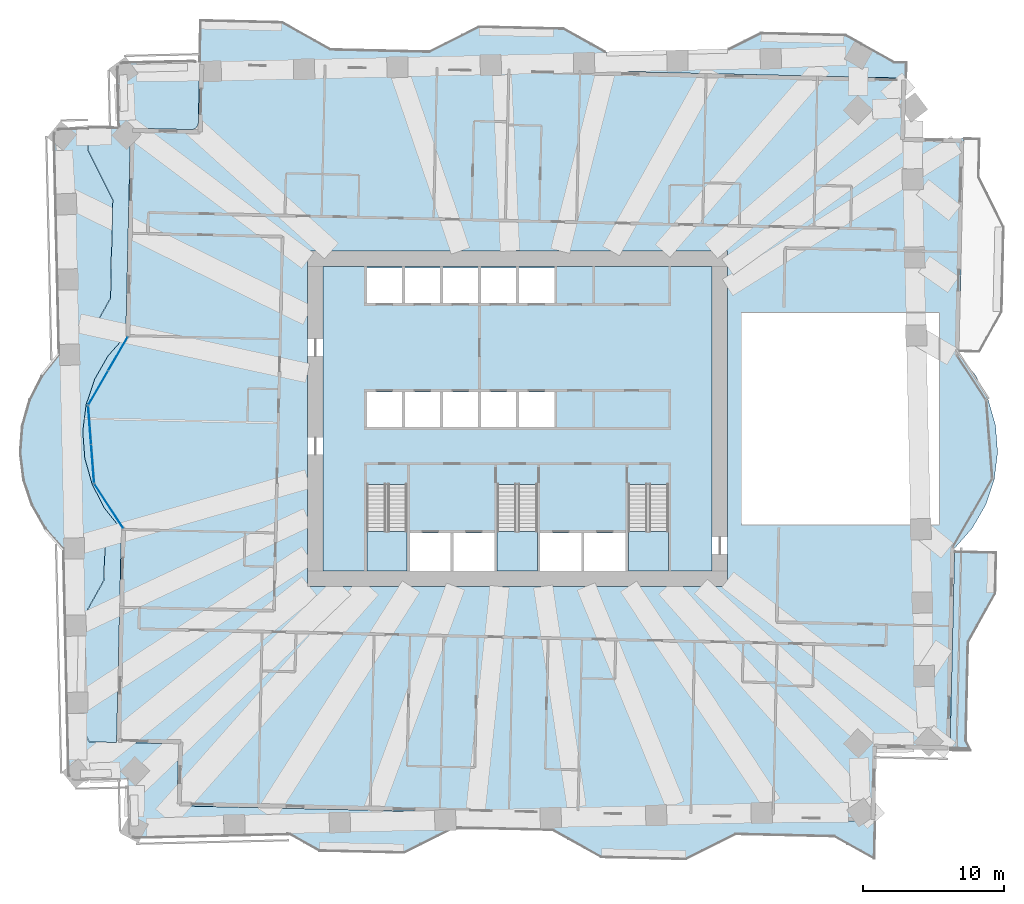
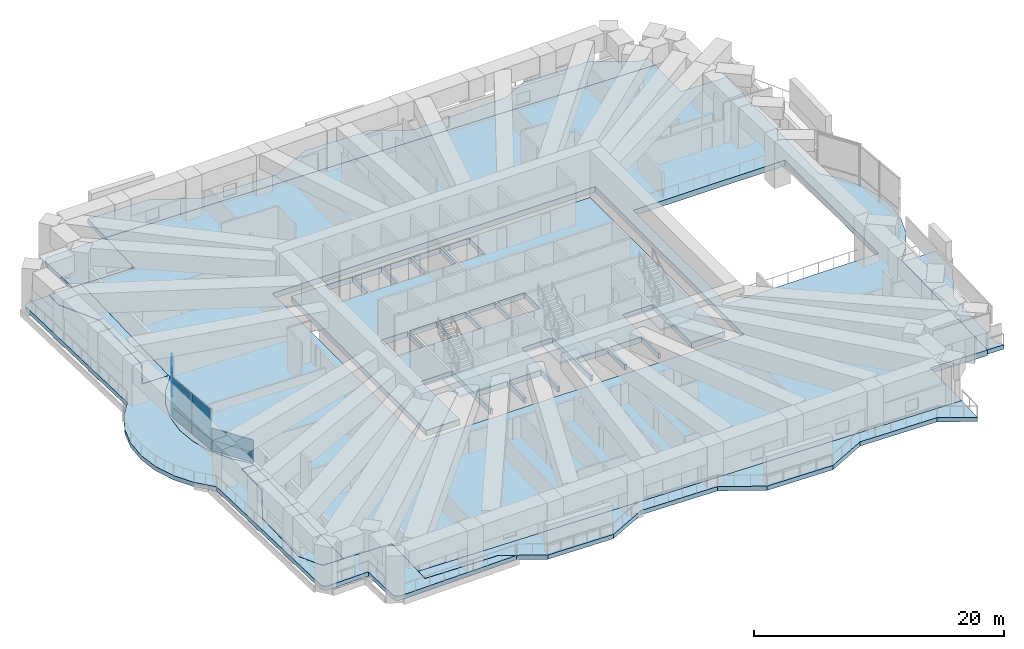
# One storey, part 7 of 20: 12 slabs, 10 plates, 6 elements without a shape of their own.
"""IFC4 building model written with IfcOpenShell, lengths in metres."""

from ifc_helpers import new_model, si_unit, direction, frame, origin, origin_2d, place, context, subcontext, project, spatial, polyline, rectangle, outline, extrude, material, layer, layer_set, type_object, element, aggregate, save


model = new_model("IFC4")

# Units and contexts
model_context = context("Model", 3, precision=1e-05, world=origin(), true_north=direction((0.0, 1.0)))
body_context = subcontext(model_context, "Body", "Model", "MODEL_VIEW")
ifc_project = project(units=[si_unit("LENGTHUNIT", "METRE"), si_unit("AREAUNIT", "SQUARE_METRE"), si_unit("VOLUMEUNIT", "CUBIC_METRE"), si_unit("PLANEANGLEUNIT", "RADIAN"), si_unit("MASSUNIT", "GRAM", prefix="KILO")], contexts=[model_context])

# Site, building, storey
site_placement = place(None, origin())
site = spatial("IfcSite", under=ifc_project, at=site_placement, CompositionType="ELEMENT")
building_placement = place(site_placement, origin())
building = spatial("IfcBuilding", under=site, at=building_placement, Name="Mangrove Gate Tower", CompositionType="ELEMENT")
storey_placement = place(building_placement, frame((0.0, 0.0, 52.10009765625)))
storey = spatial("IfcBuildingStorey", under=building, at=storey_placement, Name="L12", CompositionType="ELEMENT", Elevation=52.10009765625)

# Slabs
ifc_material_1 = material(Name="Porcelain tile")
ifc_layer_1 = layer(ifc_material_1, 0.02001953125, Name="Tile finish")
ifc_material_2 = material(Name="Cement sand screed")
ifc_layer_2 = layer(ifc_material_2, 0.0400390625, Name="Screed laid to falls")
ifc_material_3 = material(Name="Bituminous waterproofing membrane")
ifc_layer_3 = layer(ifc_material_3, 0.00390625, Name="Waterproofing")
ifc_material_4 = material(Name="Concrete C40/50", Category="concrete")
ifc_layer_4 = layer(ifc_material_4, 0.340087890625, Name="Balcony structural slab")
ifc_material_5 = material(Name="Limestone", Category="masonry")
ifc_layer_5 = layer(ifc_material_5, 0.01611328125, Name="Soffit lining")
ifc_layer_set_1 = layer_set([ifc_layer_1, ifc_layer_2, ifc_layer_3, ifc_layer_4, ifc_layer_5], Name="Balcony slab 420 C40/50")
slab_type_1 = type_object("IfcSlabType", Name="Balcony slab 420 C40/50", PredefinedType="FLOOR", material=ifc_layer_set_1)
slab_1_placement = place(storey_placement, frame((0.0, 0.0, -0.420166015625)))
element("IfcSlab", 1, at=slab_1_placement, inside=storey, type_object=slab_type_1, Name="BALCONY L12 E0", PredefinedType="FLOOR", context=body_context, shape_type="SweptSolid", body=[
    extrude(outline(polyline([(32.18896484375, -23.550048828125), (31.8349609375, -22.841064453125), (31.993896484375, -15.843017578125), (33.923095703125, -12.385986328125), (33.988037109375, -9.511962890625), (30.9990234375, -9.444091796875), (30.93408203125, -12.318115234375), (30.85400390625, -15.81689453125), (30.695068359375, -22.81591796875), (30.678955078125, -23.514892578125), (32.18896484375, -23.550048828125)])), origin(), (0.0, 0.0, 1.0), 0.420166015625),
])
slab_2_placement = place(storey_placement, frame((0.0, 0.0, -0.420166015625)))
element("IfcSlab", 2, at=slab_2_placement, inside=storey, type_object=slab_type_1, Name="BALCONY L12 N0", PredefinedType="FLOOR", context=body_context, shape_type="SweptSolid", body=[
    extrude(outline(polyline([(27.56005859375, 24.16796875), (27.5859375, 25.306884765625), (26.718017578125, 25.327880859375), (23.260986328125, 27.256103515625), (17.262939453125, 27.39208984375), (14.906982421875, 26.215087890625), (14.902099609375, 26.216064453125), (14.89697265625, 26.219970703125), (14.89501953125, 26.22509765625), (14.89599609375, 26.23095703125), (6.306884765625, 26.037109375), (6.30810546875, 26.030029296875), (6.305908203125, 26.02490234375), (6.302001953125, 26.02197265625), (6.297119140625, 26.02099609375), (6.2919921875, 26.02197265625), (3.26708984375, 27.7099609375), (-2.73193359375, 27.845947265625), (-6.27392578125, 26.076904296875), (-13.26806640625, 26.235107421875), (-13.27294921875, 26.236083984375), (-16.72802734375, 28.1630859375), (-22.4951171875, 28.2939453125), (-22.56298828125, 25.304931640625), (27.56005859375, 24.16796875)])), origin(), (0.0, 0.0, 1.0), 0.420166015625),
])
slab_3_placement = place(storey_placement, frame((0.0, 0.0, -0.420166015625)))
element("IfcSlab", 3, at=slab_3_placement, inside=storey, type_object=slab_type_1, Name="BALCONY L12 W0", PredefinedType="FLOOR", context=body_context, shape_type="SweptSolid", body=[
    extrude(outline(polyline([(-30.4599609375, 20.68310546875), (-30.49609375, 19.083984375), (-28.72607421875, 15.5419921875), (-28.885009765625, 8.5439453125), (-30.193115234375, 6.198974609375), (-27.799072265625, 6.14404296875), (-27.7451171875, 8.51806640625), (-27.5859375, 15.51708984375), (-27.507080078125, 19.01611328125), (-27.469970703125, 20.614990234375), (-30.4599609375, 20.68310546875)])), origin(), (0.0, 0.0, 1.0), 0.420166015625),
])
slab_4_placement = place(storey_placement, frame((0.0, 0.0, -0.420166015625)))
element("IfcSlab", 4, at=slab_4_placement, inside=storey, type_object=slab_type_1, Name="BALCONY L12 W1", PredefinedType="FLOOR", context=body_context, shape_type="SweptSolid", body=[
    extrude(outline(polyline([(-29.261962890625, -8.076904296875), (-29.337890625, -11.450927734375), (-31.26708984375, -14.907958984375), (-31.403076171875, -20.906005859375), (-30.39208984375, -22.929931640625), (-28.4599609375, -22.97412109375), (-28.4140625, -20.97412109375), (-28.278076171875, -14.97607421875), (-28.198974609375, -11.47607421875), (-28.1220703125, -8.10302734375), (-29.261962890625, -8.076904296875)])), origin(), (0.0, 0.0, 1.0), 0.420166015625),
])
slab_5_placement = place(storey_placement, frame((0.0, 0.0, -0.420166015625)))
element("IfcSlab", 5, at=slab_5_placement, inside=storey, type_object=slab_type_1, Name="BALCONY L12 S0", PredefinedType="FLOOR", context=body_context, shape_type="SweptSolid", body=[
    extrude(outline(polyline([(-24.18603515625, -28.612060546875), (-17.52001953125, -28.762939453125), (-14.06298828125, -30.69189453125), (-8.06396484375, -30.827880859375), (-4.52294921875, -29.05810546875), (2.47509765625, -29.217041015625), (5.931884765625, -31.14599609375), (11.929931640625, -31.281982421875), (15.470947265625, -29.512939453125), (22.469970703125, -29.6708984375), (25.302978515625, -31.2509765625), (25.363037109375, -28.595947265625), (-24.159912109375, -27.471923828125), (-24.18603515625, -28.612060546875)])), origin(), (0.0, 0.0, 1.0), 0.420166015625),
])
ifc_material_6 = material(Name="Concrete C40/50", Category="concrete")
ifc_layer_6 = layer(ifc_material_6, 0.550048828125)
ifc_layer_set_2 = layer_set([ifc_layer_6], Name="Core floor slab 550 C40/50")
slab_type_2 = type_object("IfcSlabType", Name="Core floor slab 550 C40/50", PredefinedType="FLOOR", material=ifc_layer_set_2)
slab_6_placement = place(storey_placement, frame((0.0, 0.0, -0.550048828125)))
element("IfcSlab", 6, at=slab_6_placement, inside=storey, type_object=slab_type_2, Name="SLAB-L12-CORE-1", PredefinedType="FLOOR", context=body_context, shape_type="SweptSolid", body=[
    extrude(outline(polyline([(-13.800048828125, -10.800048828125), (-13.800048828125, 10.800048828125), (13.800048828125, 10.800048828125), (13.800048828125, -10.800048828125), (10.699951171875, -10.800048828125), (10.699951171875, -4.653076171875), (7.85009765625, -4.653076171875), (7.85009765625, -10.800048828125), (7.64990234375, -10.800048828125), (7.64990234375, -8.10009765625), (4.72509765625, -8.10009765625), (4.72509765625, -10.800048828125), (4.52490234375, -10.800048828125), (4.52490234375, -8.10009765625), (1.60009765625, -8.10009765625), (1.60009765625, -10.800048828125), (1.39990234375, -10.800048828125), (1.39990234375, -4.653076171875), (-1.449951171875, -4.653076171875), (-1.449951171875, -10.800048828125), (-1.64990234375, -10.800048828125), (-1.64990234375, -8.10009765625), (-4.550048828125, -8.10009765625), (-4.550048828125, -10.800048828125), (-4.75, -10.800048828125), (-4.75, -8.10009765625), (-7.64990234375, -8.10009765625), (-7.64990234375, -10.800048828125), (-7.85009765625, -10.800048828125), (-7.85009765625, -4.653076171875), (-10.699951171875, -4.653076171875), (-10.699951171875, -10.800048828125), (-13.800048828125, -10.800048828125)]), holes=[polyline([(-8.199951171875, -0.60009765625), (-8.199951171875, 1.89990234375), (-10.699951171875, 1.89990234375), (-10.699951171875, -0.60009765625), (-8.199951171875, -0.60009765625)]), polyline([(-5.5, -0.60009765625), (-5.5, 1.89990234375), (-8.0, 1.89990234375), (-8.0, -0.60009765625), (-5.5, -0.60009765625)]), polyline([(-2.800048828125, -0.60009765625), (-2.800048828125, 1.89990234375), (-5.300048828125, 1.89990234375), (-5.300048828125, -0.60009765625), (-2.800048828125, -0.60009765625)]), polyline([(-8.199951171875, 8.199951171875), (-8.199951171875, 10.699951171875), (-10.699951171875, 10.699951171875), (-10.699951171875, 8.199951171875), (-8.199951171875, 8.199951171875)]), polyline([(-5.5, 8.199951171875), (-5.5, 10.699951171875), (-8.0, 10.699951171875), (-8.0, 8.199951171875), (-5.5, 8.199951171875)]), polyline([(-2.800048828125, 8.199951171875), (-2.800048828125, 10.699951171875), (-5.300048828125, 10.699951171875), (-5.300048828125, 8.199951171875), (-2.800048828125, 8.199951171875)]), polyline([(-0.10009765625, -0.60009765625), (-0.10009765625, 1.89990234375), (-2.60009765625, 1.89990234375), (-2.60009765625, -0.60009765625), (-0.10009765625, -0.60009765625)]), polyline([(2.60009765625, -0.60009765625), (2.60009765625, 1.89990234375), (0.10009765625, 1.89990234375), (0.10009765625, -0.60009765625), (2.60009765625, -0.60009765625)]), polyline([(-2.60009765625, 8.199951171875), (-0.10009765625, 8.199951171875), (-0.10009765625, 10.699951171875), (-2.60009765625, 10.699951171875), (-2.60009765625, 8.199951171875)]), polyline([(0.10009765625, 8.199951171875), (2.60009765625, 8.199951171875), (2.60009765625, 10.699951171875), (0.10009765625, 10.699951171875), (0.10009765625, 8.199951171875)])]), origin(), (0.0, 0.0, 1.0), 0.550048828125),
])

# Stair, slab
ifc_material_7 = material(Name="Concrete C40/50", Category="concrete")
stair_type = type_object("IfcStairType", Name="Core stair 1350", PredefinedType="HALF_TURN_STAIR", material=ifc_material_7)
stair_1_placement = place(storey_placement, origin())
stair_1 = element("IfcStair", 7, at=stair_1_placement, inside=storey, type_object=stair_type, Name="L12 Stair 1", PredefinedType="HALF_TURN_STAIR")
ifc_material_8 = material(Name="Concrete C40/50", Category="concrete")
ifc_layer_7 = layer(ifc_material_8, 0.199951171875)
ifc_layer_set_3 = layer_set([ifc_layer_7], Name="Core stair landing 200")
slab_type_3 = type_object("IfcSlabType", Name="Core stair landing 200", PredefinedType="LANDING", material=ifc_layer_set_3)
slab_7_placement = place(storey_placement, frame((0.0, 0.0, 2.099853515625)))
slab_7 = element("IfcSlab", 8, at=slab_7_placement, type_object=slab_type_3, Name="ST1 landing 1", PredefinedType="LANDING", context=body_context, shape_type="SweptSolid", body=[
    extrude(outline(polyline([(-10.699951171875, -8.010009765625), (-10.699951171875, -10.800048828125), (-7.85009765625, -10.800048828125), (-7.85009765625, -8.010009765625), (-10.699951171875, -8.010009765625)])), origin(), (0.0, 0.0, 1.0), 0.199951171875),
])
aggregate(stair_1, [slab_7])

stair_2_placement = place(storey_placement, origin())
stair_2 = element("IfcStair", 9, at=stair_2_placement, inside=storey, type_object=stair_type, Name="L12 Stair 2", PredefinedType="HALF_TURN_STAIR")
slab_8_placement = place(storey_placement, frame((0.0, 0.0, 2.099853515625)))
slab_8 = element("IfcSlab", 10, at=slab_8_placement, type_object=slab_type_3, Name="ST2 landing 1", PredefinedType="LANDING", context=body_context, shape_type="SweptSolid", body=[
    extrude(outline(polyline([(-1.449951171875, -8.010009765625), (-1.449951171875, -10.800048828125), (1.39990234375, -10.800048828125), (1.39990234375, -8.010009765625), (-1.449951171875, -8.010009765625)])), origin(), (0.0, 0.0, 1.0), 0.199951171875),
])
aggregate(stair_2, [slab_8])

stair_3_placement = place(storey_placement, origin())
stair_3 = element("IfcStair", 11, at=stair_3_placement, inside=storey, type_object=stair_type, Name="L12 Stair 3", PredefinedType="HALF_TURN_STAIR")
slab_9_placement = place(storey_placement, frame((0.0, 0.0, 2.099853515625)))
slab_9 = element("IfcSlab", 12, at=slab_9_placement, type_object=slab_type_3, Name="ST3 landing 1", PredefinedType="LANDING", context=body_context, shape_type="SweptSolid", body=[
    extrude(outline(polyline([(7.85009765625, -8.010009765625), (7.85009765625, -10.800048828125), (10.699951171875, -10.800048828125), (10.699951171875, -8.010009765625), (7.85009765625, -8.010009765625)])), origin(), (0.0, 0.0, 1.0), 0.199951171875),
])
aggregate(stair_3, [slab_9])

# Slab
ifc_material_9 = material(Name="Concrete C40/50", Category="concrete")
ifc_layer_8 = layer(ifc_material_9, 0.550048828125)
ifc_layer_set_4 = layer_set([ifc_layer_8], Name="Floor slab 550 C40/50")
slab_type_4 = type_object("IfcSlabType", Name="Floor slab 550 C40/50", PredefinedType="FLOOR", material=ifc_layer_set_4)
slab_10_placement = place(storey_placement, frame((0.0, 0.0, -0.550048828125)))
element("IfcSlab", 13, at=slab_10_placement, inside=storey, type_object=slab_type_4, Name="Floor slab L12", PredefinedType="FLOOR", context=body_context, shape_type="SweptSolid", body=[
    extrude(outline(polyline([(-24.160400390625, -27.47216796875), (25.36279296875, -28.595947265625), (25.480712890625, -23.3974609375), (30.679443359375, -23.515380859375), (31.00439453125, -9.1943359375), (32.267333984375, -7.7578125), (33.220458984375, -6.099365234375), (33.825927734375, -4.28515625), (34.0595703125, -2.38671875), (33.912353515625, -0.4794921875), (33.389892578125, 1.360595703125), (32.512939453125, 3.060302734375), (31.31640625, 4.552734375), (31.6640625, 19.87353515625), (27.465087890625, 19.96875), (27.560302734375, 24.167724609375), (-22.562744140625, 25.30517578125), (-22.671630859375, 20.50634765625), (-27.470458984375, 20.615234375), (-27.804443359375, 5.894287109375), (-29.0673828125, 4.457763671875), (-30.0205078125, 2.799560546875), (-30.6259765625, 0.985107421875), (-30.859619140625, -0.913330078125), (-30.71240234375, -2.820556640625), (-30.18994140625, -4.660400390625), (-29.31298828125, -6.3603515625), (-28.116455078125, -7.852783203125), (-28.45947265625, -22.9736328125), (-24.060546875, -23.0732421875), (-24.160400390625, -27.47216796875)]), holes=[polyline([(15.89990234375, 7.5), (29.889892578125, 7.5), (29.889892578125, -7.5), (15.89990234375, -7.5), (15.89990234375, 7.5)]), polyline([(-14.89990234375, -11.89990234375), (-14.89990234375, 11.89990234375), (14.89990234375, 11.89990234375), (14.89990234375, -11.89990234375), (-14.89990234375, -11.89990234375)])]), origin(), (0.0, 0.0, 1.0), 0.550048828125),
])

# Curtain wall, plates
ifc_material_10 = material(Name="Aluminium and glass curtain wall", Category="aluminium")
curtain_wall_type = type_object("IfcCurtainWallType", Name="Sky-lounge glazing wall", PredefinedType="NOTDEFINED", material=ifc_material_10)
curtain_wall_1_placement = place(storey_placement, origin())
curtain_wall_1 = element("IfcCurtainWall", 14, at=curtain_wall_1_placement, inside=storey, type_object=curtain_wall_type, Name="Sky-lounge glazing W9f1", PredefinedType="NOTDEFINED")
ifc_material_11 = material(Name="Laminated low-e glass", Category="glass")
ifc_layer_9 = layer(ifc_material_11, 0.030029296875)
ifc_layer_set_5 = layer_set([ifc_layer_9], Name="Sky-lounge glazing panel 30")
plate_type = type_object("IfcPlateType", Name="Sky-lounge glazing panel 30", PredefinedType="CURTAIN_PANEL", material=ifc_layer_set_5)
plate_1_placement = place(storey_placement, frame((-28.368896484375, 4.602294921875, 0.0), z_axis=(0.0, 0.0, 1.0), x_axis=(-0.500418160359, -0.865783844145, 0.0)))
plate_1 = element("IfcPlate", 15, at=plate_1_placement, type_object=plate_type, Name="CWK panel 1.1", PredefinedType="CURTAIN_PANEL", context=body_context, shape_type="SweptSolid", body=[
    extrude(rectangle(XDim=2.73095703125, YDim=0.030029296875, at=origin_2d()), origin(), (0.0, 0.0, 1.0), 0.969970703125),
])
plate_2_placement = place(storey_placement, frame((-28.368896484375, 4.602294921875, 1.02978515625), z_axis=(0.0, 0.0, 1.0), x_axis=(-0.500418160359, -0.865783844145, 0.0)))
plate_2 = element("IfcPlate", 16, at=plate_2_placement, type_object=plate_type, Name="CWK panel 1.2", PredefinedType="CURTAIN_PANEL", context=body_context, shape_type="SweptSolid", body=[
    extrude(rectangle(XDim=2.73095703125, YDim=0.030029296875, at=origin_2d()), origin(), (0.0, 0.0, 1.0), 1.260009765625),
])
plate_3_placement = place(storey_placement, frame((-29.765625, 2.18603515625, 0.0), z_axis=(0.0, 0.0, 1.0), x_axis=(-0.500418160359, -0.865783844145, 0.0)))
plate_3 = element("IfcPlate", 17, at=plate_3_placement, type_object=plate_type, Name="CWK panel 2.1", PredefinedType="CURTAIN_PANEL", context=body_context, shape_type="SweptSolid", body=[
    extrude(rectangle(XDim=2.73095703125, YDim=0.030029296875, at=origin_2d()), origin(), (0.0, 0.0, 1.0), 0.969970703125),
])
plate_4_placement = place(storey_placement, frame((-29.765625, 2.18603515625, 1.02978515625), z_axis=(0.0, 0.0, 1.0), x_axis=(-0.500418160359, -0.865783844145, 0.0)))
plate_4 = element("IfcPlate", 18, at=plate_4_placement, type_object=plate_type, Name="CWK panel 2.2", PredefinedType="CURTAIN_PANEL", context=body_context, shape_type="SweptSolid", body=[
    extrude(rectangle(XDim=2.73095703125, YDim=0.030029296875, at=origin_2d()), origin(), (0.0, 0.0, 1.0), 1.260009765625),
])
aggregate(curtain_wall_1, [plate_1, plate_2, plate_3, plate_4])

curtain_wall_2_placement = place(storey_placement, origin())
curtain_wall_2 = element("IfcCurtainWall", 19, at=curtain_wall_2_placement, inside=storey, type_object=curtain_wall_type, Name="Sky-lounge glazing W9f2", PredefinedType="NOTDEFINED")
plate_5_placement = place(storey_placement, frame((-30.370361328125, -0.452392578125, 0.0), z_axis=(0.0, 0.0, 1.0), x_axis=(0.077023348212, -0.997029289354, 0.0)))
plate_5 = element("IfcPlate", 20, at=plate_5_placement, type_object=plate_type, Name="CWK panel 1.1", PredefinedType="CURTAIN_PANEL", context=body_context, shape_type="SweptSolid", body=[
    extrude(rectangle(XDim=2.69677734375, YDim=0.030029296875, at=origin_2d()), origin(), (0.0, 0.0, 1.0), 0.969970703125),
])
plate_6_placement = place(storey_placement, frame((-30.370361328125, -0.452392578125, 1.030029296875), z_axis=(0.0, 0.0, 1.0), x_axis=(0.077023348212, -0.997029289354, 0.0)))
plate_6 = element("IfcPlate", 21, at=plate_6_placement, type_object=plate_type, Name="CWK panel 1.2", PredefinedType="CURTAIN_PANEL", context=body_context, shape_type="SweptSolid", body=[
    extrude(rectangle(XDim=2.69677734375, YDim=0.030029296875, at=origin_2d()), origin(), (0.0, 0.0, 1.0), 2.9599609375),
])
plate_7_placement = place(storey_placement, frame((-30.158203125, -3.200927734375, 0.0), z_axis=(0.0, 0.0, 1.0), x_axis=(0.077023348212, -0.997029289354, 0.0)))
plate_7 = element("IfcPlate", 22, at=plate_7_placement, type_object=plate_type, Name="CWK panel 2.1", PredefinedType="CURTAIN_PANEL", context=body_context, shape_type="SweptSolid", body=[
    extrude(rectangle(XDim=2.69677734375, YDim=0.030029296875, at=origin_2d()), origin(), (0.0, 0.0, 1.0), 0.969970703125),
])
plate_8_placement = place(storey_placement, frame((-30.158203125, -3.200927734375, 1.030029296875), z_axis=(0.0, 0.0, 1.0), x_axis=(0.077023348212, -0.997029289354, 0.0)))
plate_8 = element("IfcPlate", 23, at=plate_8_placement, type_object=plate_type, Name="CWK panel 2.2", PredefinedType="CURTAIN_PANEL", context=body_context, shape_type="SweptSolid", body=[
    extrude(rectangle(XDim=2.69677734375, YDim=0.030029296875, at=origin_2d()), origin(), (0.0, 0.0, 1.0), 2.9599609375),
])
aggregate(curtain_wall_2, [plate_5, plate_6, plate_7, plate_8])

curtain_wall_3_placement = place(storey_placement, origin())
curtain_wall_3 = element("IfcCurtainWall", 24, at=curtain_wall_3_placement, inside=storey, type_object=curtain_wall_type, Name="Sky-lounge glazing W9f3", PredefinedType="NOTDEFINED")
plate_9_placement = place(storey_placement, frame((-29.00732421875, -6.203369140625, 0.0), z_axis=(0.0, 0.0, 1.0), x_axis=(0.546235085162, -0.837631919006, 0.0)))
plate_9 = element("IfcPlate", 25, at=plate_9_placement, type_object=plate_type, Name="CWK panel 1.1", PredefinedType="CURTAIN_PANEL", context=body_context, shape_type="SweptSolid", body=[
    extrude(rectangle(XDim=3.696044921875, YDim=0.030029296875, at=origin_2d()), origin(), (0.0, 0.0, 1.0), 0.969970703125),
])
plate_10_placement = place(storey_placement, frame((-29.00732421875, -6.203369140625, 1.02978515625), z_axis=(0.0, 0.0, 1.0), x_axis=(0.546235085162, -0.837631919006, 0.0)))
plate_10 = element("IfcPlate", 26, at=plate_10_placement, type_object=plate_type, Name="CWK panel 1.2", PredefinedType="CURTAIN_PANEL", context=body_context, shape_type="SweptSolid", body=[
    extrude(rectangle(XDim=3.696044921875, YDim=0.030029296875, at=origin_2d()), origin(), (0.0, 0.0, 1.0), 1.159912109375),
])
aggregate(curtain_wall_3, [plate_9, plate_10])

# Slabs
ifc_material_12 = material(Name="Granite", Category="masonry")
ifc_layer_10 = layer(ifc_material_12, 0.030029296875, Name="Granite paving")
ifc_layer_11 = layer(ifc_material_2, 0.0400390625, Name="Bedding screed")
ifc_layer_12 = layer(ifc_material_3, 0.0048828125, Name="Waterproofing")
ifc_material_13 = material(Name="Extruded polystyrene insulation")
ifc_layer_13 = layer(ifc_material_13, 0.0400390625, Name="Insulation")
ifc_layer_14 = layer(ifc_material_4, 0.304931640625, Name="Terrace structural slab")
ifc_layer_set_6 = layer_set([ifc_layer_10, ifc_layer_11, ifc_layer_12, ifc_layer_13, ifc_layer_14], Name="Terrace slab C40/50")
slab_type_5 = type_object("IfcSlabType", Name="Terrace slab C40/50", PredefinedType="FLOOR", material=ifc_layer_set_6)
slab_11_placement = place(storey_placement, frame((0.0, 0.0, -0.420166015625)))
element("IfcSlab", 27, at=slab_11_placement, inside=storey, type_object=slab_type_5, Name="TERRACE L12 2", PredefinedType="FLOOR", context=body_context, shape_type="SweptSolid", body=[
    extrude(outline(polyline([(-32.549072265625, 4.52490234375), (-32.555908203125, 4.514892578125), (-33.712890625, 3.072021484375), (-33.741943359375, 3.031005859375), (-33.76806640625, 2.988037109375), (-34.59912109375, 1.376953125), (-34.618896484375, 1.33203125), (-34.635009765625, 1.283935546875), (-35.1298828125, -0.458984375), (-35.14208984375, -0.508056640625), (-35.14794921875, -0.556884765625), (-35.287109375, -2.364990234375), (-35.2890625, -2.4150390625), (-35.284912109375, -2.464111328125), (-35.06396484375, -4.262939453125), (-35.054931640625, -4.31201171875), (-35.0419921875, -4.360107421875), (-34.468017578125, -6.080078125), (-34.449951171875, -6.1259765625), (-34.427001953125, -6.1708984375), (-33.52392578125, -7.741943359375), (-33.4970703125, -7.783935546875), (-33.466064453125, -7.822998046875), (-32.243896484375, -9.212890625), (-32.237060546875, -9.222900390625), (-32.236083984375, -9.235107421875), (-31.875, -25.14306640625), (-31.87109375, -25.19189453125), (-31.863037109375, -25.239990234375), (-31.85009765625, -25.2880859375), (-31.83203125, -25.3330078125), (-31.81005859375, -25.376953125), (-31.783935546875, -25.4189453125), (-31.75390625, -25.45703125), (-31.719970703125, -25.492919921875), (-31.68310546875, -25.52490234375), (-31.64306640625, -25.552978515625), (-31.60107421875, -25.577880859375), (-31.555908203125, -25.597900390625), (-31.509033203125, -25.613037109375), (-31.4609375, -25.6240234375), (-31.4130859375, -25.6298828125), (-31.364013671875, -25.631103515625), (-27.677001953125, -25.548095703125), (-27.6650390625, -25.548095703125), (-27.6640625, -25.56005859375), (-27.5810546875, -29.2470703125), (-27.576904296875, -29.294921875), (-27.569091796875, -29.343994140625), (-27.555908203125, -29.39111328125), (-27.5380859375, -29.43701171875), (-27.51611328125, -29.48095703125), (-27.489990234375, -29.52197265625), (-27.4599609375, -29.56103515625), (-27.426025390625, -29.596923828125), (-27.388916015625, -29.62890625), (-27.34912109375, -29.656982421875), (-27.305908203125, -29.680908203125), (-27.261962890625, -29.700927734375), (-27.215087890625, -29.717041015625), (-27.1669921875, -29.72802734375), (-27.117919921875, -29.73388671875), (-27.069091796875, -29.735107421875), (-16.259033203125, -29.489990234375), (-17.52490234375, -28.782958984375), (-24.18603515625, -28.632080078125), (-24.18798828125, -28.632080078125), (-24.18994140625, -28.632080078125), (-24.19189453125, -28.631103515625), (-24.194091796875, -28.6298828125), (-24.196044921875, -28.62890625), (-24.197021484375, -28.6279296875), (-24.198974609375, -28.626953125), (-24.199951171875, -28.6259765625), (-24.201904296875, -28.6240234375), (-24.202880859375, -28.623046875), (-24.2041015625, -28.62109375), (-24.205078125, -28.618896484375), (-24.205078125, -28.616943359375), (-24.2060546875, -28.614990234375), (-24.2060546875, -28.614013671875), (-24.2060546875, -28.612060546875), (-24.179931640625, -27.471923828125), (-24.179931640625, -27.469970703125), (-24.179931640625, -27.468017578125), (-24.178955078125, -27.466064453125), (-24.177978515625, -27.464111328125), (-24.177001953125, -27.4619140625), (-24.176025390625, -27.4609375), (-24.175048828125, -27.458984375), (-24.174072265625, -27.4580078125), (-24.172119140625, -27.4560546875), (-24.1708984375, -27.455078125), (-24.1689453125, -27.4541015625), (-24.1669921875, -27.452880859375), (-24.1650390625, -27.452880859375), (-24.1630859375, -27.451904296875), (-24.162109375, -27.451904296875), (-24.159912109375, -27.451904296875), (-24.072021484375, -23.572998046875), (-24.072998046875, -23.52392578125), (-24.0791015625, -23.47509765625), (-24.090087890625, -23.427978515625), (-24.10595703125, -23.381103515625), (-24.1259765625, -23.3359375), (-24.14990234375, -23.2939453125), (-24.177978515625, -23.25390625), (-24.2099609375, -23.216064453125), (-24.24609375, -23.18310546875), (-24.284912109375, -23.153076171875), (-24.325927734375, -23.1259765625), (-24.3701171875, -23.10400390625), (-24.416015625, -23.0869140625), (-24.462890625, -23.073974609375), (-24.511962890625, -23.06591796875), (-24.56103515625, -23.06201171875), (-28.43994140625, -22.97412109375), (-28.43994140625, -22.97412109375), (-28.43994140625, -22.97607421875), (-28.43994140625, -22.97802734375), (-28.44091796875, -22.97998046875), (-28.44189453125, -22.98193359375), (-28.443115234375, -22.98388671875), (-28.444091796875, -22.985107421875), (-28.445068359375, -22.987060546875), (-28.446044921875, -22.988037109375), (-28.447998046875, -22.989990234375), (-28.448974609375, -22.990966796875), (-28.450927734375, -22.991943359375), (-28.452880859375, -22.992919921875), (-28.455078125, -22.992919921875), (-28.45703125, -22.993896484375), (-28.4580078125, -22.993896484375), (-28.4599609375, -22.993896484375), (-30.39208984375, -22.949951171875), (-30.39404296875, -22.949951171875), (-30.39599609375, -22.949951171875), (-30.39794921875, -22.948974609375), (-30.39990234375, -22.947998046875), (-30.402099609375, -22.947021484375), (-30.404052734375, -22.946044921875), (-30.405029296875, -22.945068359375), (-30.406982421875, -22.944091796875), (-30.407958984375, -22.94189453125), (-30.408935546875, -22.94091796875), (-30.409912109375, -22.93896484375), (-31.4208984375, -20.9150390625), (-31.422119140625, -20.9130859375), (-31.422119140625, -20.910888671875), (-31.423095703125, -20.908935546875), (-31.423095703125, -20.906982421875), (-31.423095703125, -20.906005859375), (-31.287109375, -14.907958984375), (-31.287109375, -14.906005859375), (-31.287109375, -14.904052734375), (-31.285888671875, -14.902099609375), (-31.284912109375, -14.89990234375), (-31.283935546875, -14.89794921875), (-29.35791015625, -11.446044921875), (-29.281982421875, -8.076904296875), (-29.281982421875, -8.074951171875), (-29.281982421875, -8.072998046875), (-29.281005859375, -8.071044921875), (-29.280029296875, -8.069091796875), (-29.279052734375, -8.06689453125), (-29.278076171875, -8.06591796875), (-29.277099609375, -8.06396484375), (-29.27587890625, -8.06298828125), (-29.27392578125, -8.06103515625), (-29.27294921875, -8.06005859375), (-29.27099609375, -8.05908203125), (-29.26904296875, -8.05810546875), (-29.26708984375, -8.05810546875), (-29.264892578125, -8.056884765625), (-29.263916015625, -8.056884765625), (-29.261962890625, -8.056884765625), (-28.1220703125, -8.0830078125), (-28.12109375, -8.034912109375), (-28.1220703125, -7.985107421875), (-28.1279296875, -7.93505859375), (-28.138916015625, -7.886962890625), (-28.155029296875, -7.840087890625), (-28.176025390625, -7.7939453125), (-28.200927734375, -7.7509765625), (-28.22998046875, -7.7109375), (-29.304931640625, -6.3701171875), (-29.31201171875, -6.360107421875), (-29.319091796875, -6.34912109375), (-30.18408203125, -4.672119140625), (-30.18896484375, -4.659912109375), (-30.193115234375, -4.64794921875), (-30.708984375, -2.83203125), (-30.7119140625, -2.820068359375), (-30.712890625, -2.80810546875), (-30.85888671875, -0.926025390625), (-30.85888671875, -0.9130859375), (-30.85791015625, -0.90087890625), (-30.626953125, 0.972900390625), (-30.625, 0.985107421875), (-30.6220703125, 0.9970703125), (-30.02392578125, 2.7880859375), (-30.02001953125, 2.799072265625), (-30.013916015625, 2.81005859375), (-29.073974609375, 4.447021484375), (-29.06689453125, 4.4580078125), (-29.05908203125, 4.467041015625), (-27.925048828125, 5.758056640625), (-27.89404296875, 5.797119140625), (-27.866943359375, 5.839111328125), (-27.843994140625, 5.883056640625), (-27.825927734375, 5.929931640625), (-27.81201171875, 5.97802734375), (-27.803955078125, 6.027099609375), (-27.800048828125, 6.075927734375), (-27.799072265625, 6.1240234375), (-27.799072265625, 6.1240234375), (-30.193115234375, 6.178955078125), (-30.195068359375, 6.178955078125), (-30.197021484375, 6.178955078125), (-30.198974609375, 6.179931640625), (-30.200927734375, 6.180908203125), (-30.202880859375, 6.181884765625), (-30.2041015625, 6.18310546875), (-30.2060546875, 6.18408203125), (-30.20703125, 6.18505859375), (-30.208984375, 6.18701171875), (-30.2099609375, 6.18798828125), (-30.2109375, 6.18994140625), (-30.2119140625, 6.19189453125), (-30.2119140625, 6.194091796875), (-30.212890625, 6.195068359375), (-30.212890625, 6.197021484375), (-30.212890625, 6.198974609375), (-30.212890625, 6.200927734375), (-30.212890625, 6.202880859375), (-30.2119140625, 6.205078125), (-30.2109375, 6.20703125), (-30.2099609375, 6.208984375), (-28.905029296875, 8.549072265625), (-28.74609375, 15.537109375), (-30.513916015625, 19.074951171875), (-30.514892578125, 19.076904296875), (-30.514892578125, 19.0791015625), (-30.51611328125, 19.0810546875), (-30.51611328125, 19.0830078125), (-30.51611328125, 19.083984375), (-30.48193359375, 20.60009765625), (-32.412109375, 20.556884765625), (-32.4609375, 20.552978515625), (-32.509033203125, 20.544921875), (-32.555908203125, 20.531982421875), (-32.60205078125, 20.513916015625), (-32.64599609375, 20.491943359375), (-32.68798828125, 20.466064453125), (-32.72607421875, 20.43603515625), (-32.761962890625, 20.402099609375), (-32.7939453125, 20.364990234375), (-32.822021484375, 20.324951171875), (-32.846923828125, 20.281982421875), (-32.866943359375, 20.238037109375), (-32.882080078125, 20.19091796875), (-32.89306640625, 20.14306640625), (-32.89892578125, 20.094970703125), (-32.89990234375, 20.044921875), (-32.548095703125, 4.537109375), (-32.549072265625, 4.52490234375)])), origin(), (0.0, 0.0, 1.0), 0.420166015625),
])
slab_12_placement = place(storey_placement, frame((0.0, 0.0, -0.420166015625)))
element("IfcSlab", 28, at=slab_12_placement, inside=storey, type_object=slab_type_5, Name="TERRACE L12 3", PredefinedType="FLOOR", context=body_context, shape_type="SweptSolid", body=[
    extrude(outline(polyline([(-28.30810546875, 20.654052734375), (-27.469970703125, 20.635009765625), (-27.468017578125, 20.635009765625), (-27.466064453125, 20.635009765625), (-27.464111328125, 20.634033203125), (-27.4619140625, 20.633056640625), (-27.4599609375, 20.632080078125), (-27.458984375, 20.631103515625), (-27.45703125, 20.6298828125), (-27.4560546875, 20.62890625), (-27.4541015625, 20.626953125), (-27.452880859375, 20.6259765625), (-27.451904296875, 20.6240234375), (-27.450927734375, 20.6220703125), (-27.450927734375, 20.6201171875), (-27.449951171875, 20.617919921875), (-27.449951171875, 20.615966796875), (-27.449951171875, 20.614990234375), (-23.1708984375, 20.51806640625), (-23.1220703125, 20.51904296875), (-23.073974609375, 20.52490234375), (-23.02587890625, 20.535888671875), (-22.97900390625, 20.551025390625), (-22.93408203125, 20.571044921875), (-22.89208984375, 20.595947265625), (-22.85205078125, 20.6240234375), (-22.81494140625, 20.656005859375), (-22.781005859375, 20.69189453125), (-22.7509765625, 20.72998046875), (-22.72509765625, 20.77197265625), (-22.702880859375, 20.81591796875), (-22.68505859375, 20.862060546875), (-22.672119140625, 20.908935546875), (-22.6640625, 20.95703125), (-22.659912109375, 21.006103515625), (-22.572998046875, 24.85791015625), (-22.573974609375, 24.908935546875), (-22.5810546875, 24.958984375), (-22.592041015625, 25.008056640625), (-22.60888671875, 25.055908203125), (-22.6298828125, 25.10205078125), (-22.655029296875, 25.14501953125), (-22.68505859375, 25.18603515625), (-22.718994140625, 25.222900390625), (-22.757080078125, 25.257080078125), (-22.797119140625, 25.287109375), (-22.841064453125, 25.31298828125), (-22.886962890625, 25.333984375), (-22.93408203125, 25.35009765625), (-22.98388671875, 25.362060546875), (-23.033935546875, 25.367919921875), (-23.083984375, 25.3701171875), (-27.9169921875, 25.260009765625), (-27.966064453125, 25.256103515625), (-28.014892578125, 25.248046875), (-28.06201171875, 25.235107421875), (-28.10791015625, 25.217041015625), (-28.152099609375, 25.195068359375), (-28.193115234375, 25.1689453125), (-28.23193359375, 25.138916015625), (-28.26708984375, 25.10498046875), (-28.300048828125, 25.068115234375), (-28.327880859375, 25.028076171875), (-28.35205078125, 24.986083984375), (-28.3720703125, 24.94091796875), (-28.387939453125, 24.89404296875), (-28.39794921875, 24.845947265625), (-28.405029296875, 24.798095703125), (-28.406005859375, 24.7490234375), (-28.320068359375, 20.9609375), (-28.31591796875, 20.912109375), (-28.30810546875, 20.864013671875), (-28.294921875, 20.81591796875), (-28.277099609375, 20.77001953125), (-28.2548828125, 20.72607421875), (-28.240966796875, 20.7041015625), (-28.2451171875, 20.701904296875), (-28.284912109375, 20.674072265625), (-28.302978515625, 20.657958984375), (-28.30810546875, 20.654052734375)])), origin(), (0.0, 0.0, 1.0), 0.420166015625),
])

save(model, "model.ifc")
